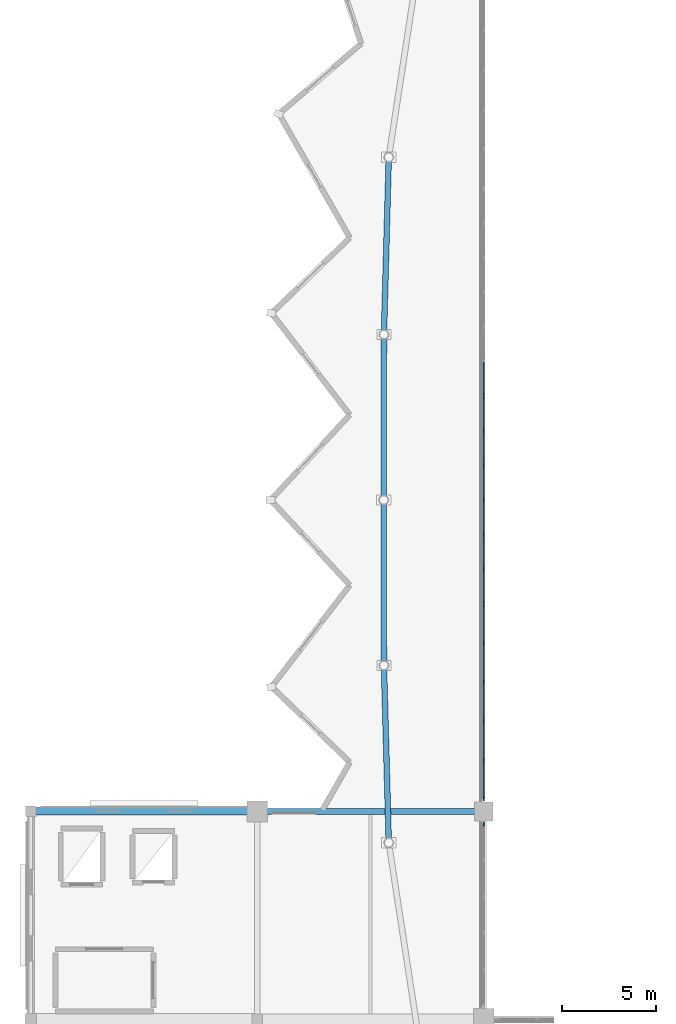
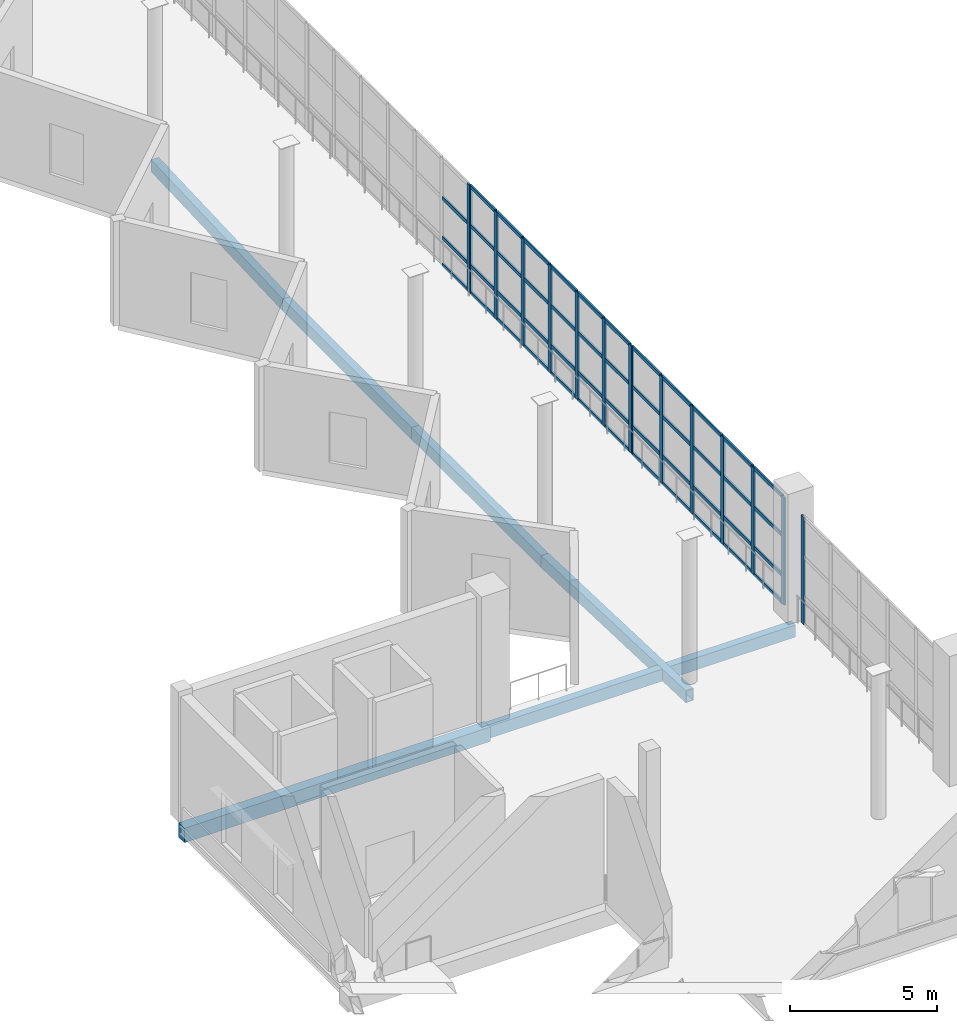
# One storey, part 14 of 49: 62 members, 6 beams, 4 elements without a shape of their own.
"""IFC4 building model written with IfcOpenShell, lengths in metres."""

from ifc_helpers import new_model, si_unit, direction, frame, origin, origin_2d, place, context, subcontext, project, spatial, rectangle, hollow_rectangle, extrude, material, material_profile, profile_set, type_object, element, aggregate, save


model = new_model("IFC4")

# Units and contexts
model_context = context("Model", 3, precision=1e-05, world=origin(), true_north=direction((0.0, 1.0)))
body_context = subcontext(model_context, "Body", "Model", "MODEL_VIEW")
ifc_project = project(units=[si_unit("LENGTHUNIT", "METRE"), si_unit("AREAUNIT", "SQUARE_METRE"), si_unit("VOLUMEUNIT", "CUBIC_METRE"), si_unit("PLANEANGLEUNIT", "RADIAN"), si_unit("MASSUNIT", "GRAM", prefix="KILO")], contexts=[model_context])

# Site, building, storey
site_placement = place(None, origin())
site = spatial("IfcSite", under=ifc_project, at=site_placement, CompositionType="ELEMENT")
building_placement = place(site_placement, origin())
building = spatial("IfcBuilding", under=site, at=building_placement, Name="Luwafu Chhajja Arena", CompositionType="ELEMENT")
storey_placement = place(building_placement, frame((0.0, 0.0, 24.300048828125)))
storey = spatial("IfcBuildingStorey", under=building, at=storey_placement, Name="L05", CompositionType="ELEMENT", Elevation=24.300048828125)

# Curtain wall, member
ifc_material_1 = material(Name="Anodised bronze aluminium", Category="aluminium")
curtain_wall_type = type_object("IfcCurtainWallType", Name="VIP Club Terrace Curtain Wall", PredefinedType="USERDEFINED", material=ifc_material_1)
curtain_wall_1_placement = place(storey_placement, origin())
curtain_wall_1 = element("IfcCurtainWall", 1, at=curtain_wall_1_placement, inside=storey, type_object=curtain_wall_type, Name="L05 Bowl Viewing Curtain Wall CWR-L05-15", ObjectType="CURTAIN WALL", PredefinedType="USERDEFINED")
ifc_material_profile_1 = material_profile(ifc_material_1, rectangle(XDim=0.06494140625, YDim=0.199951171875, at=origin_2d()), Name="CWM 65x200")
ifc_profile_set_1 = profile_set([ifc_material_profile_1], Name="Anodised bronze aluminium")
member_type_1 = type_object("IfcMemberType", Name="Bronze Curtain Wall Mullion 65x200", PredefinedType="MULLION", material=ifc_profile_set_1)
member_1_placement = place(storey_placement, frame((58.0, 32.327392578125, 0.0), z_axis=(0.0, 0.0, 1.0), x_axis=(-1.0, 0.0, 0.0)))
member_1 = element("IfcMember", 2, at=member_1_placement, type_object=member_type_1, Name="CW-10 mullion 6", PredefinedType="MULLION", context=body_context, shape_type="SweptSolid", body=[
    extrude(rectangle(XDim=0.06494140625, YDim=0.199951171875, at=origin_2d()), origin(), (0.0, 0.0, 1.0), 4.449951171875),
])
aggregate(curtain_wall_1, [member_1])

# Curtain wall, members
curtain_wall_2_placement = place(storey_placement, origin())
curtain_wall_2 = element("IfcCurtainWall", 3, at=curtain_wall_2_placement, inside=storey, type_object=curtain_wall_type, Name="L05 Bowl Viewing Curtain Wall CWR-L05-16", ObjectType="CURTAIN WALL", PredefinedType="USERDEFINED")
member_2_placement = place(storey_placement, frame((58.0, 33.672607421875, 0.0), z_axis=(0.0, 0.0, 1.0), x_axis=(-1.0, 0.0, 0.0)))
member_2 = element("IfcMember", 4, at=member_2_placement, type_object=member_type_1, Name="CW-10 mullion 1", PredefinedType="MULLION", context=body_context, shape_type="SweptSolid", body=[
    extrude(rectangle(XDim=0.06494140625, YDim=0.199951171875, at=origin_2d()), origin(), (0.0, 0.0, 1.0), 4.449951171875),
])
member_3_placement = place(storey_placement, frame((58.0, 35.7119140625, 0.0), z_axis=(0.0, 0.0, 1.0), x_axis=(-1.0, 0.0, 0.0)))
member_3 = element("IfcMember", 5, at=member_3_placement, type_object=member_type_1, Name="CW-10 mullion 2", PredefinedType="MULLION", context=body_context, shape_type="SweptSolid", body=[
    extrude(rectangle(XDim=0.06494140625, YDim=0.199951171875, at=origin_2d()), origin(), (0.0, 0.0, 1.0), 4.449951171875),
])
member_4_placement = place(storey_placement, frame((58.0, 37.783935546875, 0.0), z_axis=(0.0, 0.0, 1.0), x_axis=(-1.0, 0.0, 0.0)))
member_4 = element("IfcMember", 6, at=member_4_placement, type_object=member_type_1, Name="CW-10 mullion 3", PredefinedType="MULLION", context=body_context, shape_type="SweptSolid", body=[
    extrude(rectangle(XDim=0.06494140625, YDim=0.199951171875, at=origin_2d()), origin(), (0.0, 0.0, 1.0), 4.449951171875),
])
member_5_placement = place(storey_placement, frame((58.0, 39.85595703125, 0.0), z_axis=(0.0, 0.0, 1.0), x_axis=(-1.0, 0.0, 0.0)))
member_5 = element("IfcMember", 7, at=member_5_placement, type_object=member_type_1, Name="CW-10 mullion 4", PredefinedType="MULLION", context=body_context, shape_type="SweptSolid", body=[
    extrude(rectangle(XDim=0.06494140625, YDim=0.199951171875, at=origin_2d()), origin(), (0.0, 0.0, 1.0), 4.449951171875),
])
member_6_placement = place(storey_placement, frame((58.0, 41.927978515625, 0.0), z_axis=(0.0, 0.0, 1.0), x_axis=(-1.0, 0.0, 0.0)))
member_6 = element("IfcMember", 8, at=member_6_placement, type_object=member_type_1, Name="CW-10 mullion 5", PredefinedType="MULLION", context=body_context, shape_type="SweptSolid", body=[
    extrude(rectangle(XDim=0.06494140625, YDim=0.199951171875, at=origin_2d()), origin(), (0.0, 0.0, 1.0), 4.449951171875),
])
member_7_placement = place(storey_placement, frame((58.0, 43.967529296875, 0.0), z_axis=(0.0, 0.0, 1.0), x_axis=(-1.0, 0.0, 0.0)))
member_7 = element("IfcMember", 9, at=member_7_placement, type_object=member_type_1, Name="CW-10 mullion 6", PredefinedType="MULLION", context=body_context, shape_type="SweptSolid", body=[
    extrude(rectangle(XDim=0.06494140625, YDim=0.199951171875, at=origin_2d()), origin(), (0.0, 0.0, 1.0), 4.449951171875),
])

curtain_wall_3_placement = place(storey_placement, origin())
curtain_wall_3 = element("IfcCurtainWall", 10, at=curtain_wall_3_placement, inside=storey, type_object=curtain_wall_type, Name="L05 Bowl Viewing Curtain Wall CWR-L05-17", ObjectType="CURTAIN WALL", PredefinedType="USERDEFINED")
member_8_placement = place(storey_placement, frame((58.0, 44.032470703125, 0.0), z_axis=(0.0, 0.0, 1.0), x_axis=(-1.0, 0.0, 0.0)))
member_8 = element("IfcMember", 11, at=member_8_placement, type_object=member_type_1, Name="CW-10 mullion 1", PredefinedType="MULLION", context=body_context, shape_type="SweptSolid", body=[
    extrude(rectangle(XDim=0.06494140625, YDim=0.199951171875, at=origin_2d()), origin(), (0.0, 0.0, 1.0), 4.449951171875),
])
member_9_placement = place(storey_placement, frame((58.0, 45.833251953125, 0.0), z_axis=(0.0, 0.0, 1.0), x_axis=(-1.0, 0.0, 0.0)))
member_9 = element("IfcMember", 12, at=member_9_placement, type_object=member_type_1, Name="CW-10 mullion 2", PredefinedType="MULLION", context=body_context, shape_type="SweptSolid", body=[
    extrude(rectangle(XDim=0.06494140625, YDim=0.199951171875, at=origin_2d()), origin(), (0.0, 0.0, 1.0), 4.449951171875),
])
member_10_placement = place(storey_placement, frame((58.0, 47.666748046875, 0.0), z_axis=(0.0, 0.0, 1.0), x_axis=(-1.0, 0.0, 0.0)))
member_10 = element("IfcMember", 13, at=member_10_placement, type_object=member_type_1, Name="CW-10 mullion 3", PredefinedType="MULLION", context=body_context, shape_type="SweptSolid", body=[
    extrude(rectangle(XDim=0.06494140625, YDim=0.199951171875, at=origin_2d()), origin(), (0.0, 0.0, 1.0), 4.449951171875),
])
member_11_placement = place(storey_placement, frame((58.0, 49.5, 0.0), z_axis=(0.0, 0.0, 1.0), x_axis=(-1.0, 0.0, 0.0)))
member_11 = element("IfcMember", 14, at=member_11_placement, type_object=member_type_1, Name="CW-10 mullion 4", PredefinedType="MULLION", context=body_context, shape_type="SweptSolid", body=[
    extrude(rectangle(XDim=0.06494140625, YDim=0.199951171875, at=origin_2d()), origin(), (0.0, 0.0, 1.0), 4.449951171875),
])
member_12_placement = place(storey_placement, frame((58.0, 51.333251953125, 0.0), z_axis=(0.0, 0.0, 1.0), x_axis=(-1.0, 0.0, 0.0)))
member_12 = element("IfcMember", 15, at=member_12_placement, type_object=member_type_1, Name="CW-10 mullion 5", PredefinedType="MULLION", context=body_context, shape_type="SweptSolid", body=[
    extrude(rectangle(XDim=0.06494140625, YDim=0.199951171875, at=origin_2d()), origin(), (0.0, 0.0, 1.0), 4.449951171875),
])
member_13_placement = place(storey_placement, frame((58.0, 53.166748046875, 0.0), z_axis=(0.0, 0.0, 1.0), x_axis=(-1.0, 0.0, 0.0)))
member_13 = element("IfcMember", 16, at=member_13_placement, type_object=member_type_1, Name="CW-10 mullion 6", PredefinedType="MULLION", context=body_context, shape_type="SweptSolid", body=[
    extrude(rectangle(XDim=0.06494140625, YDim=0.199951171875, at=origin_2d()), origin(), (0.0, 0.0, 1.0), 4.449951171875),
])
member_14_placement = place(storey_placement, frame((58.0, 54.967529296875, 0.0), z_axis=(0.0, 0.0, 1.0), x_axis=(-1.0, 0.0, 0.0)))
member_14 = element("IfcMember", 17, at=member_14_placement, type_object=member_type_1, Name="CW-10 mullion 7", PredefinedType="MULLION", context=body_context, shape_type="SweptSolid", body=[
    extrude(rectangle(XDim=0.06494140625, YDim=0.199951171875, at=origin_2d()), origin(), (0.0, 0.0, 1.0), 4.449951171875),
])

# Curtain wall, member
curtain_wall_4_placement = place(storey_placement, origin())
curtain_wall_4 = element("IfcCurtainWall", 18, at=curtain_wall_4_placement, inside=storey, type_object=curtain_wall_type, Name="L05 Bowl Viewing Curtain Wall CWR-L05-18", ObjectType="CURTAIN WALL", PredefinedType="USERDEFINED")
member_15_placement = place(storey_placement, frame((58.0, 55.032470703125, 0.0), z_axis=(0.0, 0.0, 1.0), x_axis=(-1.0, 0.0, 0.0)))
member_15 = element("IfcMember", 19, at=member_15_placement, type_object=member_type_1, Name="CW-10 mullion 1", PredefinedType="MULLION", context=body_context, shape_type="SweptSolid", body=[
    extrude(rectangle(XDim=0.06494140625, YDim=0.199951171875, at=origin_2d()), origin(), (0.0, 0.0, 1.0), 4.449951171875),
])

# Member
ifc_material_profile_2 = material_profile(ifc_material_1, rectangle(XDim=0.06494140625, YDim=0.14990234375, at=origin_2d()), Name="CWT 65x150")
ifc_profile_set_2 = profile_set([ifc_material_profile_2], Name="Anodised bronze aluminium")
member_type_2 = type_object("IfcMemberType", Name="Bronze Curtain Wall Transom 65x150", PredefinedType="USERDEFINED", material=ifc_profile_set_2)
member_16_placement = place(storey_placement, frame((58.0, 33.705078125, 0.032470703125), z_axis=(0.0, 1.0, 0.0), x_axis=(-1.0, 0.0, 0.0)))
member_16 = element("IfcMember", 20, at=member_16_placement, type_object=member_type_2, Name="CW-10 transom 1.1", ObjectType="TRANSOM", PredefinedType="USERDEFINED", context=body_context, shape_type="SweptSolid", body=[
    extrude(rectangle(XDim=0.06494140625, YDim=0.14990234375, at=origin_2d()), origin(), (0.0, 0.0, 1.0), 1.974365234375),
])

member_17_placement = place(storey_placement, frame((58.0, 33.705078125, 1.14990234375), z_axis=(0.0, 1.0, 0.0), x_axis=(-1.0, 0.0, 0.0)))
member_17 = element("IfcMember", 21, at=member_17_placement, type_object=member_type_2, Name="CW-10 transom 1.2", ObjectType="TRANSOM", PredefinedType="USERDEFINED", context=body_context, shape_type="SweptSolid", body=[
    extrude(rectangle(XDim=0.06494140625, YDim=0.14990234375, at=origin_2d()), origin(), (0.0, 0.0, 1.0), 1.974365234375),
])

member_18_placement = place(storey_placement, frame((58.0, 33.705078125, 2.800048828125), z_axis=(0.0, 1.0, 0.0), x_axis=(-1.0, 0.0, 0.0)))
member_18 = element("IfcMember", 22, at=member_18_placement, type_object=member_type_2, Name="CW-10 transom 1.3", ObjectType="TRANSOM", PredefinedType="USERDEFINED", context=body_context, shape_type="SweptSolid", body=[
    extrude(rectangle(XDim=0.06494140625, YDim=0.14990234375, at=origin_2d()), origin(), (0.0, 0.0, 1.0), 1.974365234375),
])

member_19_placement = place(storey_placement, frame((58.0, 33.705078125, 4.41748046875), z_axis=(0.0, 1.0, 0.0), x_axis=(-1.0, 0.0, 0.0)))
member_19 = element("IfcMember", 23, at=member_19_placement, type_object=member_type_2, Name="CW-10 transom 1.4", ObjectType="TRANSOM", PredefinedType="USERDEFINED", context=body_context, shape_type="SweptSolid", body=[
    extrude(rectangle(XDim=0.06494140625, YDim=0.14990234375, at=origin_2d()), origin(), (0.0, 0.0, 1.0), 1.974365234375),
])

member_20_placement = place(storey_placement, frame((58.0, 35.744384765625, 0.032470703125), z_axis=(0.0, 1.0, 0.0), x_axis=(-1.0, 0.0, 0.0)))
member_20 = element("IfcMember", 24, at=member_20_placement, type_object=member_type_2, Name="CW-10 transom 2.1", ObjectType="TRANSOM", PredefinedType="USERDEFINED", context=body_context, shape_type="SweptSolid", body=[
    extrude(rectangle(XDim=0.06494140625, YDim=0.14990234375, at=origin_2d()), origin(), (0.0, 0.0, 1.0), 2.007080078125),
])

member_21_placement = place(storey_placement, frame((58.0, 35.744384765625, 1.14990234375), z_axis=(0.0, 1.0, 0.0), x_axis=(-1.0, 0.0, 0.0)))
member_21 = element("IfcMember", 25, at=member_21_placement, type_object=member_type_2, Name="CW-10 transom 2.2", ObjectType="TRANSOM", PredefinedType="USERDEFINED", context=body_context, shape_type="SweptSolid", body=[
    extrude(rectangle(XDim=0.06494140625, YDim=0.14990234375, at=origin_2d()), origin(), (0.0, 0.0, 1.0), 2.007080078125),
])

member_22_placement = place(storey_placement, frame((58.0, 35.744384765625, 2.800048828125), z_axis=(0.0, 1.0, 0.0), x_axis=(-1.0, 0.0, 0.0)))
member_22 = element("IfcMember", 26, at=member_22_placement, type_object=member_type_2, Name="CW-10 transom 2.3", ObjectType="TRANSOM", PredefinedType="USERDEFINED", context=body_context, shape_type="SweptSolid", body=[
    extrude(rectangle(XDim=0.06494140625, YDim=0.14990234375, at=origin_2d()), origin(), (0.0, 0.0, 1.0), 2.007080078125),
])

member_23_placement = place(storey_placement, frame((58.0, 35.744384765625, 4.41748046875), z_axis=(0.0, 1.0, 0.0), x_axis=(-1.0, 0.0, 0.0)))
member_23 = element("IfcMember", 27, at=member_23_placement, type_object=member_type_2, Name="CW-10 transom 2.4", ObjectType="TRANSOM", PredefinedType="USERDEFINED", context=body_context, shape_type="SweptSolid", body=[
    extrude(rectangle(XDim=0.06494140625, YDim=0.14990234375, at=origin_2d()), origin(), (0.0, 0.0, 1.0), 2.007080078125),
])

member_24_placement = place(storey_placement, frame((58.0, 37.81640625, 0.032470703125), z_axis=(0.0, 1.0, 0.0), x_axis=(-1.0, 0.0, 0.0)))
member_24 = element("IfcMember", 28, at=member_24_placement, type_object=member_type_2, Name="CW-10 transom 3.1", ObjectType="TRANSOM", PredefinedType="USERDEFINED", context=body_context, shape_type="SweptSolid", body=[
    extrude(rectangle(XDim=0.06494140625, YDim=0.14990234375, at=origin_2d()), origin(), (0.0, 0.0, 1.0), 2.007080078125),
])

member_25_placement = place(storey_placement, frame((58.0, 37.81640625, 1.14990234375), z_axis=(0.0, 1.0, 0.0), x_axis=(-1.0, 0.0, 0.0)))
member_25 = element("IfcMember", 29, at=member_25_placement, type_object=member_type_2, Name="CW-10 transom 3.2", ObjectType="TRANSOM", PredefinedType="USERDEFINED", context=body_context, shape_type="SweptSolid", body=[
    extrude(rectangle(XDim=0.06494140625, YDim=0.14990234375, at=origin_2d()), origin(), (0.0, 0.0, 1.0), 2.007080078125),
])

member_26_placement = place(storey_placement, frame((58.0, 37.81640625, 2.800048828125), z_axis=(0.0, 1.0, 0.0), x_axis=(-1.0, 0.0, 0.0)))
member_26 = element("IfcMember", 30, at=member_26_placement, type_object=member_type_2, Name="CW-10 transom 3.3", ObjectType="TRANSOM", PredefinedType="USERDEFINED", context=body_context, shape_type="SweptSolid", body=[
    extrude(rectangle(XDim=0.06494140625, YDim=0.14990234375, at=origin_2d()), origin(), (0.0, 0.0, 1.0), 2.007080078125),
])

member_27_placement = place(storey_placement, frame((58.0, 37.81640625, 4.41748046875), z_axis=(0.0, 1.0, 0.0), x_axis=(-1.0, 0.0, 0.0)))
member_27 = element("IfcMember", 31, at=member_27_placement, type_object=member_type_2, Name="CW-10 transom 3.4", ObjectType="TRANSOM", PredefinedType="USERDEFINED", context=body_context, shape_type="SweptSolid", body=[
    extrude(rectangle(XDim=0.06494140625, YDim=0.14990234375, at=origin_2d()), origin(), (0.0, 0.0, 1.0), 2.007080078125),
])

member_28_placement = place(storey_placement, frame((58.0, 39.888427734375, 0.032470703125), z_axis=(0.0, 1.0, 0.0), x_axis=(-1.0, 0.0, 0.0)))
member_28 = element("IfcMember", 32, at=member_28_placement, type_object=member_type_2, Name="CW-10 transom 4.1", ObjectType="TRANSOM", PredefinedType="USERDEFINED", context=body_context, shape_type="SweptSolid", body=[
    extrude(rectangle(XDim=0.06494140625, YDim=0.14990234375, at=origin_2d()), origin(), (0.0, 0.0, 1.0), 2.007080078125),
])

member_29_placement = place(storey_placement, frame((58.0, 39.888427734375, 1.14990234375), z_axis=(0.0, 1.0, 0.0), x_axis=(-1.0, 0.0, 0.0)))
member_29 = element("IfcMember", 33, at=member_29_placement, type_object=member_type_2, Name="CW-10 transom 4.2", ObjectType="TRANSOM", PredefinedType="USERDEFINED", context=body_context, shape_type="SweptSolid", body=[
    extrude(rectangle(XDim=0.06494140625, YDim=0.14990234375, at=origin_2d()), origin(), (0.0, 0.0, 1.0), 2.007080078125),
])

member_30_placement = place(storey_placement, frame((58.0, 39.888427734375, 2.800048828125), z_axis=(0.0, 1.0, 0.0), x_axis=(-1.0, 0.0, 0.0)))
member_30 = element("IfcMember", 34, at=member_30_placement, type_object=member_type_2, Name="CW-10 transom 4.3", ObjectType="TRANSOM", PredefinedType="USERDEFINED", context=body_context, shape_type="SweptSolid", body=[
    extrude(rectangle(XDim=0.06494140625, YDim=0.14990234375, at=origin_2d()), origin(), (0.0, 0.0, 1.0), 2.007080078125),
])

member_31_placement = place(storey_placement, frame((58.0, 39.888427734375, 4.41748046875), z_axis=(0.0, 1.0, 0.0), x_axis=(-1.0, 0.0, 0.0)))
member_31 = element("IfcMember", 35, at=member_31_placement, type_object=member_type_2, Name="CW-10 transom 4.4", ObjectType="TRANSOM", PredefinedType="USERDEFINED", context=body_context, shape_type="SweptSolid", body=[
    extrude(rectangle(XDim=0.06494140625, YDim=0.14990234375, at=origin_2d()), origin(), (0.0, 0.0, 1.0), 2.007080078125),
])

member_32_placement = place(storey_placement, frame((58.0, 41.96044921875, 0.032470703125), z_axis=(0.0, 1.0, 0.0), x_axis=(-1.0, 0.0, 0.0)))
member_32 = element("IfcMember", 36, at=member_32_placement, type_object=member_type_2, Name="CW-10 transom 5.1", ObjectType="TRANSOM", PredefinedType="USERDEFINED", context=body_context, shape_type="SweptSolid", body=[
    extrude(rectangle(XDim=0.06494140625, YDim=0.14990234375, at=origin_2d()), origin(), (0.0, 0.0, 1.0), 1.974609375),
])

member_33_placement = place(storey_placement, frame((58.0, 41.96044921875, 1.14990234375), z_axis=(0.0, 1.0, 0.0), x_axis=(-1.0, 0.0, 0.0)))
member_33 = element("IfcMember", 37, at=member_33_placement, type_object=member_type_2, Name="CW-10 transom 5.2", ObjectType="TRANSOM", PredefinedType="USERDEFINED", context=body_context, shape_type="SweptSolid", body=[
    extrude(rectangle(XDim=0.06494140625, YDim=0.14990234375, at=origin_2d()), origin(), (0.0, 0.0, 1.0), 1.974609375),
])

member_34_placement = place(storey_placement, frame((58.0, 41.96044921875, 2.800048828125), z_axis=(0.0, 1.0, 0.0), x_axis=(-1.0, 0.0, 0.0)))
member_34 = element("IfcMember", 38, at=member_34_placement, type_object=member_type_2, Name="CW-10 transom 5.3", ObjectType="TRANSOM", PredefinedType="USERDEFINED", context=body_context, shape_type="SweptSolid", body=[
    extrude(rectangle(XDim=0.06494140625, YDim=0.14990234375, at=origin_2d()), origin(), (0.0, 0.0, 1.0), 1.974609375),
])

member_35_placement = place(storey_placement, frame((58.0, 41.96044921875, 4.41748046875), z_axis=(0.0, 1.0, 0.0), x_axis=(-1.0, 0.0, 0.0)))
member_35 = element("IfcMember", 39, at=member_35_placement, type_object=member_type_2, Name="CW-10 transom 5.4", ObjectType="TRANSOM", PredefinedType="USERDEFINED", context=body_context, shape_type="SweptSolid", body=[
    extrude(rectangle(XDim=0.06494140625, YDim=0.14990234375, at=origin_2d()), origin(), (0.0, 0.0, 1.0), 1.974609375),
])

aggregate(curtain_wall_2, [member_2, member_3, member_4, member_5, member_6, member_7, member_16, member_17, member_18, member_19, member_20, member_21, member_22, member_23, member_24, member_25, member_26, member_27, member_28, member_29, member_30, member_31, member_32, member_33, member_34, member_35])

member_36_placement = place(storey_placement, frame((58.0, 44.06494140625, 0.032470703125), z_axis=(0.0, 1.0, 0.0), x_axis=(-1.0, 0.0, 0.0)))
member_36 = element("IfcMember", 40, at=member_36_placement, type_object=member_type_2, Name="CW-10 transom 1.1", ObjectType="TRANSOM", PredefinedType="USERDEFINED", context=body_context, shape_type="SweptSolid", body=[
    extrude(rectangle(XDim=0.06494140625, YDim=0.14990234375, at=origin_2d()), origin(), (0.0, 0.0, 1.0), 1.73583984375),
])

member_37_placement = place(storey_placement, frame((58.0, 44.06494140625, 1.14990234375), z_axis=(0.0, 1.0, 0.0), x_axis=(-1.0, 0.0, 0.0)))
member_37 = element("IfcMember", 41, at=member_37_placement, type_object=member_type_2, Name="CW-10 transom 1.2", ObjectType="TRANSOM", PredefinedType="USERDEFINED", context=body_context, shape_type="SweptSolid", body=[
    extrude(rectangle(XDim=0.06494140625, YDim=0.14990234375, at=origin_2d()), origin(), (0.0, 0.0, 1.0), 1.73583984375),
])

member_38_placement = place(storey_placement, frame((58.0, 44.06494140625, 2.800048828125), z_axis=(0.0, 1.0, 0.0), x_axis=(-1.0, 0.0, 0.0)))
member_38 = element("IfcMember", 42, at=member_38_placement, type_object=member_type_2, Name="CW-10 transom 1.3", ObjectType="TRANSOM", PredefinedType="USERDEFINED", context=body_context, shape_type="SweptSolid", body=[
    extrude(rectangle(XDim=0.06494140625, YDim=0.14990234375, at=origin_2d()), origin(), (0.0, 0.0, 1.0), 1.73583984375),
])

member_39_placement = place(storey_placement, frame((58.0, 44.06494140625, 4.41748046875), z_axis=(0.0, 1.0, 0.0), x_axis=(-1.0, 0.0, 0.0)))
member_39 = element("IfcMember", 43, at=member_39_placement, type_object=member_type_2, Name="CW-10 transom 1.4", ObjectType="TRANSOM", PredefinedType="USERDEFINED", context=body_context, shape_type="SweptSolid", body=[
    extrude(rectangle(XDim=0.06494140625, YDim=0.14990234375, at=origin_2d()), origin(), (0.0, 0.0, 1.0), 1.73583984375),
])

member_40_placement = place(storey_placement, frame((58.0, 45.86572265625, 0.032470703125), z_axis=(0.0, 1.0, 0.0), x_axis=(-1.0, 0.0, 0.0)))
member_40 = element("IfcMember", 44, at=member_40_placement, type_object=member_type_2, Name="CW-10 transom 2.1", ObjectType="TRANSOM", PredefinedType="USERDEFINED", context=body_context, shape_type="SweptSolid", body=[
    extrude(rectangle(XDim=0.06494140625, YDim=0.14990234375, at=origin_2d()), origin(), (0.0, 0.0, 1.0), 1.7685546875),
])

member_41_placement = place(storey_placement, frame((58.0, 45.86572265625, 1.14990234375), z_axis=(0.0, 1.0, 0.0), x_axis=(-1.0, 0.0, 0.0)))
member_41 = element("IfcMember", 45, at=member_41_placement, type_object=member_type_2, Name="CW-10 transom 2.2", ObjectType="TRANSOM", PredefinedType="USERDEFINED", context=body_context, shape_type="SweptSolid", body=[
    extrude(rectangle(XDim=0.06494140625, YDim=0.14990234375, at=origin_2d()), origin(), (0.0, 0.0, 1.0), 1.7685546875),
])

member_42_placement = place(storey_placement, frame((58.0, 45.86572265625, 2.800048828125), z_axis=(0.0, 1.0, 0.0), x_axis=(-1.0, 0.0, 0.0)))
member_42 = element("IfcMember", 46, at=member_42_placement, type_object=member_type_2, Name="CW-10 transom 2.3", ObjectType="TRANSOM", PredefinedType="USERDEFINED", context=body_context, shape_type="SweptSolid", body=[
    extrude(rectangle(XDim=0.06494140625, YDim=0.14990234375, at=origin_2d()), origin(), (0.0, 0.0, 1.0), 1.7685546875),
])

member_43_placement = place(storey_placement, frame((58.0, 45.86572265625, 4.41748046875), z_axis=(0.0, 1.0, 0.0), x_axis=(-1.0, 0.0, 0.0)))
member_43 = element("IfcMember", 47, at=member_43_placement, type_object=member_type_2, Name="CW-10 transom 2.4", ObjectType="TRANSOM", PredefinedType="USERDEFINED", context=body_context, shape_type="SweptSolid", body=[
    extrude(rectangle(XDim=0.06494140625, YDim=0.14990234375, at=origin_2d()), origin(), (0.0, 0.0, 1.0), 1.7685546875),
])

member_44_placement = place(storey_placement, frame((58.0, 47.69921875, 0.032470703125), z_axis=(0.0, 1.0, 0.0), x_axis=(-1.0, 0.0, 0.0)))
member_44 = element("IfcMember", 48, at=member_44_placement, type_object=member_type_2, Name="CW-10 transom 3.1", ObjectType="TRANSOM", PredefinedType="USERDEFINED", context=body_context, shape_type="SweptSolid", body=[
    extrude(rectangle(XDim=0.06494140625, YDim=0.14990234375, at=origin_2d()), origin(), (0.0, 0.0, 1.0), 1.768310546875),
])

member_45_placement = place(storey_placement, frame((58.0, 47.69921875, 1.14990234375), z_axis=(0.0, 1.0, 0.0), x_axis=(-1.0, 0.0, 0.0)))
member_45 = element("IfcMember", 49, at=member_45_placement, type_object=member_type_2, Name="CW-10 transom 3.2", ObjectType="TRANSOM", PredefinedType="USERDEFINED", context=body_context, shape_type="SweptSolid", body=[
    extrude(rectangle(XDim=0.06494140625, YDim=0.14990234375, at=origin_2d()), origin(), (0.0, 0.0, 1.0), 1.768310546875),
])

member_46_placement = place(storey_placement, frame((58.0, 47.69921875, 2.800048828125), z_axis=(0.0, 1.0, 0.0), x_axis=(-1.0, 0.0, 0.0)))
member_46 = element("IfcMember", 50, at=member_46_placement, type_object=member_type_2, Name="CW-10 transom 3.3", ObjectType="TRANSOM", PredefinedType="USERDEFINED", context=body_context, shape_type="SweptSolid", body=[
    extrude(rectangle(XDim=0.06494140625, YDim=0.14990234375, at=origin_2d()), origin(), (0.0, 0.0, 1.0), 1.768310546875),
])

member_47_placement = place(storey_placement, frame((58.0, 47.69921875, 4.41748046875), z_axis=(0.0, 1.0, 0.0), x_axis=(-1.0, 0.0, 0.0)))
member_47 = element("IfcMember", 51, at=member_47_placement, type_object=member_type_2, Name="CW-10 transom 3.4", ObjectType="TRANSOM", PredefinedType="USERDEFINED", context=body_context, shape_type="SweptSolid", body=[
    extrude(rectangle(XDim=0.06494140625, YDim=0.14990234375, at=origin_2d()), origin(), (0.0, 0.0, 1.0), 1.768310546875),
])

member_48_placement = place(storey_placement, frame((58.0, 49.532470703125, 0.032470703125), z_axis=(0.0, 1.0, 0.0), x_axis=(-1.0, 0.0, 0.0)))
member_48 = element("IfcMember", 52, at=member_48_placement, type_object=member_type_2, Name="CW-10 transom 4.1", ObjectType="TRANSOM", PredefinedType="USERDEFINED", context=body_context, shape_type="SweptSolid", body=[
    extrude(rectangle(XDim=0.06494140625, YDim=0.14990234375, at=origin_2d()), origin(), (0.0, 0.0, 1.0), 1.768310546875),
])

member_49_placement = place(storey_placement, frame((58.0, 49.532470703125, 1.14990234375), z_axis=(0.0, 1.0, 0.0), x_axis=(-1.0, 0.0, 0.0)))
member_49 = element("IfcMember", 53, at=member_49_placement, type_object=member_type_2, Name="CW-10 transom 4.2", ObjectType="TRANSOM", PredefinedType="USERDEFINED", context=body_context, shape_type="SweptSolid", body=[
    extrude(rectangle(XDim=0.06494140625, YDim=0.14990234375, at=origin_2d()), origin(), (0.0, 0.0, 1.0), 1.768310546875),
])

member_50_placement = place(storey_placement, frame((58.0, 49.532470703125, 2.800048828125), z_axis=(0.0, 1.0, 0.0), x_axis=(-1.0, 0.0, 0.0)))
member_50 = element("IfcMember", 54, at=member_50_placement, type_object=member_type_2, Name="CW-10 transom 4.3", ObjectType="TRANSOM", PredefinedType="USERDEFINED", context=body_context, shape_type="SweptSolid", body=[
    extrude(rectangle(XDim=0.06494140625, YDim=0.14990234375, at=origin_2d()), origin(), (0.0, 0.0, 1.0), 1.768310546875),
])

member_51_placement = place(storey_placement, frame((58.0, 49.532470703125, 4.41748046875), z_axis=(0.0, 1.0, 0.0), x_axis=(-1.0, 0.0, 0.0)))
member_51 = element("IfcMember", 55, at=member_51_placement, type_object=member_type_2, Name="CW-10 transom 4.4", ObjectType="TRANSOM", PredefinedType="USERDEFINED", context=body_context, shape_type="SweptSolid", body=[
    extrude(rectangle(XDim=0.06494140625, YDim=0.14990234375, at=origin_2d()), origin(), (0.0, 0.0, 1.0), 1.768310546875),
])

member_52_placement = place(storey_placement, frame((58.0, 51.36572265625, 0.032470703125), z_axis=(0.0, 1.0, 0.0), x_axis=(-1.0, 0.0, 0.0)))
member_52 = element("IfcMember", 56, at=member_52_placement, type_object=member_type_2, Name="CW-10 transom 5.1", ObjectType="TRANSOM", PredefinedType="USERDEFINED", context=body_context, shape_type="SweptSolid", body=[
    extrude(rectangle(XDim=0.06494140625, YDim=0.14990234375, at=origin_2d()), origin(), (0.0, 0.0, 1.0), 1.7685546875),
])

member_53_placement = place(storey_placement, frame((58.0, 51.36572265625, 1.14990234375), z_axis=(0.0, 1.0, 0.0), x_axis=(-1.0, 0.0, 0.0)))
member_53 = element("IfcMember", 57, at=member_53_placement, type_object=member_type_2, Name="CW-10 transom 5.2", ObjectType="TRANSOM", PredefinedType="USERDEFINED", context=body_context, shape_type="SweptSolid", body=[
    extrude(rectangle(XDim=0.06494140625, YDim=0.14990234375, at=origin_2d()), origin(), (0.0, 0.0, 1.0), 1.7685546875),
])

member_54_placement = place(storey_placement, frame((58.0, 51.36572265625, 2.800048828125), z_axis=(0.0, 1.0, 0.0), x_axis=(-1.0, 0.0, 0.0)))
member_54 = element("IfcMember", 58, at=member_54_placement, type_object=member_type_2, Name="CW-10 transom 5.3", ObjectType="TRANSOM", PredefinedType="USERDEFINED", context=body_context, shape_type="SweptSolid", body=[
    extrude(rectangle(XDim=0.06494140625, YDim=0.14990234375, at=origin_2d()), origin(), (0.0, 0.0, 1.0), 1.7685546875),
])

member_55_placement = place(storey_placement, frame((58.0, 51.36572265625, 4.41748046875), z_axis=(0.0, 1.0, 0.0), x_axis=(-1.0, 0.0, 0.0)))
member_55 = element("IfcMember", 59, at=member_55_placement, type_object=member_type_2, Name="CW-10 transom 5.4", ObjectType="TRANSOM", PredefinedType="USERDEFINED", context=body_context, shape_type="SweptSolid", body=[
    extrude(rectangle(XDim=0.06494140625, YDim=0.14990234375, at=origin_2d()), origin(), (0.0, 0.0, 1.0), 1.7685546875),
])

member_56_placement = place(storey_placement, frame((58.0, 53.19921875, 0.032470703125), z_axis=(0.0, 1.0, 0.0), x_axis=(-1.0, 0.0, 0.0)))
member_56 = element("IfcMember", 60, at=member_56_placement, type_object=member_type_2, Name="CW-10 transom 6.1", ObjectType="TRANSOM", PredefinedType="USERDEFINED", context=body_context, shape_type="SweptSolid", body=[
    extrude(rectangle(XDim=0.06494140625, YDim=0.14990234375, at=origin_2d()), origin(), (0.0, 0.0, 1.0), 1.73583984375),
])

member_57_placement = place(storey_placement, frame((58.0, 53.19921875, 1.14990234375), z_axis=(0.0, 1.0, 0.0), x_axis=(-1.0, 0.0, 0.0)))
member_57 = element("IfcMember", 61, at=member_57_placement, type_object=member_type_2, Name="CW-10 transom 6.2", ObjectType="TRANSOM", PredefinedType="USERDEFINED", context=body_context, shape_type="SweptSolid", body=[
    extrude(rectangle(XDim=0.06494140625, YDim=0.14990234375, at=origin_2d()), origin(), (0.0, 0.0, 1.0), 1.73583984375),
])

member_58_placement = place(storey_placement, frame((58.0, 53.19921875, 2.800048828125), z_axis=(0.0, 1.0, 0.0), x_axis=(-1.0, 0.0, 0.0)))
member_58 = element("IfcMember", 62, at=member_58_placement, type_object=member_type_2, Name="CW-10 transom 6.3", ObjectType="TRANSOM", PredefinedType="USERDEFINED", context=body_context, shape_type="SweptSolid", body=[
    extrude(rectangle(XDim=0.06494140625, YDim=0.14990234375, at=origin_2d()), origin(), (0.0, 0.0, 1.0), 1.73583984375),
])

member_59_placement = place(storey_placement, frame((58.0, 53.19921875, 4.41748046875), z_axis=(0.0, 1.0, 0.0), x_axis=(-1.0, 0.0, 0.0)))
member_59 = element("IfcMember", 63, at=member_59_placement, type_object=member_type_2, Name="CW-10 transom 6.4", ObjectType="TRANSOM", PredefinedType="USERDEFINED", context=body_context, shape_type="SweptSolid", body=[
    extrude(rectangle(XDim=0.06494140625, YDim=0.14990234375, at=origin_2d()), origin(), (0.0, 0.0, 1.0), 1.73583984375),
])

aggregate(curtain_wall_3, [member_8, member_9, member_10, member_11, member_12, member_13, member_14, member_36, member_37, member_38, member_39, member_40, member_41, member_42, member_43, member_44, member_45, member_46, member_47, member_48, member_49, member_50, member_51, member_52, member_53, member_54, member_55, member_56, member_57, member_58, member_59])

member_60_placement = place(storey_placement, frame((58.0, 55.06494140625, 0.032470703125), z_axis=(0.0, 1.0, 0.0), x_axis=(-1.0, 0.0, 0.0)))
member_60 = element("IfcMember", 64, at=member_60_placement, type_object=member_type_2, Name="CW-10 transom 1.1", ObjectType="TRANSOM", PredefinedType="USERDEFINED", context=body_context, shape_type="SweptSolid", body=[
    extrude(rectangle(XDim=0.06494140625, YDim=0.14990234375, at=origin_2d()), origin(), (0.0, 0.0, 1.0), 1.73583984375),
])

member_61_placement = place(storey_placement, frame((58.0, 55.06494140625, 1.14990234375), z_axis=(0.0, 1.0, 0.0), x_axis=(-1.0, 0.0, 0.0)))
member_61 = element("IfcMember", 65, at=member_61_placement, type_object=member_type_2, Name="CW-10 transom 1.2", ObjectType="TRANSOM", PredefinedType="USERDEFINED", context=body_context, shape_type="SweptSolid", body=[
    extrude(rectangle(XDim=0.06494140625, YDim=0.14990234375, at=origin_2d()), origin(), (0.0, 0.0, 1.0), 1.73583984375),
])

member_62_placement = place(storey_placement, frame((58.0, 55.06494140625, 2.800048828125), z_axis=(0.0, 1.0, 0.0), x_axis=(-1.0, 0.0, 0.0)))
member_62 = element("IfcMember", 66, at=member_62_placement, type_object=member_type_2, Name="CW-10 transom 1.3", ObjectType="TRANSOM", PredefinedType="USERDEFINED", context=body_context, shape_type="SweptSolid", body=[
    extrude(rectangle(XDim=0.06494140625, YDim=0.14990234375, at=origin_2d()), origin(), (0.0, 0.0, 1.0), 1.73583984375),
])

aggregate(curtain_wall_4, [member_15, member_60, member_61, member_62])

# Beams
ifc_material_2 = material(Name="Steel S355", Category="steel")
ifc_material_profile_3 = material_profile(ifc_material_2, hollow_rectangle(XDim=0.300048828125, YDim=0.5, WallThickness=0.02001953125, at=origin_2d()), Name="RHS 500x300x20")
ifc_profile_set_3 = profile_set([ifc_material_profile_3], Name="Steel S355")
beam_type_1 = type_object("IfcBeamType", Name="Pleated Drum Spandrel Beam RHS 500x300", PredefinedType="SPANDREL", material=ifc_profile_set_3)
beam_1_placement = place(storey_placement, frame((46.0, 33.0, -0.64013671875), z_axis=(1.0, 0.0, 0.0), x_axis=(0.0, 1.0, 0.0)))
element("IfcBeam", 67, at=beam_1_placement, inside=storey, type_object=beam_type_1, Name="L05 Grid Beam 5-6/D", PredefinedType="SPANDREL", context=body_context, shape_type="SweptSolid", body=[
    extrude(hollow_rectangle(XDim=0.300048828125, YDim=0.5, WallThickness=0.02001953125, at=origin_2d()), origin(), (0.0, 0.0, 1.0), 12.0),
])
beam_2_placement = place(storey_placement, frame((52.968017578125, 67.6611328125, -0.64013671875), z_axis=(-0.02720805866, -0.999629792245, 0.0), x_axis=(0.999629792245, -0.02720805866, 0.0)))
element("IfcBeam", 68, at=beam_2_placement, inside=storey, type_object=beam_type_1, Name="L05 Drum Ring Spandrel D15-D16", PredefinedType="SPANDREL", context=body_context, shape_type="SweptSolid", body=[
    extrude(hollow_rectangle(XDim=0.300048828125, YDim=0.5, WallThickness=0.02001953125, at=origin_2d()), origin(), (0.0, 0.0, 1.0), 9.394775390625),
])
for number, where, z_axis, x_axis, name in (
    (69, (52.71240234375, 58.269775390625, -0.64013671875), (-0.001419780869, -0.999998992111, 0.0), (0.999998992111, -0.001419780869, 0.0), "L05 Drum Ring Spandrel D16-D17"),
    (70, (52.699951171875, 49.5, -0.64013671875), (0.001419780869, -0.999998992111, 0.0), (0.999998992111, 0.001419780869, 0.0), "L05 Drum Ring Spandrel D17-D18"),
):
    element("IfcBeam", number, at=place(storey_placement, frame(where, z_axis=z_axis, x_axis=x_axis)), inside=storey, type_object=beam_type_1, Name=name, PredefinedType="SPANDREL", context=body_context, shape_type="SweptSolid", body=[
        extrude(hollow_rectangle(XDim=0.300048828125, YDim=0.5, WallThickness=0.02001953125, at=origin_2d()), origin(), (0.0, 0.0, 1.0), 8.769775390625),
    ])
beam_3_placement = place(storey_placement, frame((52.71240234375, 40.730224609375, -0.64013671875), z_axis=(0.02720805866, -0.999629792245, 0.0), x_axis=(0.999629792245, 0.02720805866, 0.0)))
element("IfcBeam", 71, at=beam_3_placement, inside=storey, type_object=beam_type_1, Name="L05 Drum Ring Spandrel D18-D19", PredefinedType="SPANDREL", context=body_context, shape_type="SweptSolid", body=[
    extrude(hollow_rectangle(XDim=0.300048828125, YDim=0.5, WallThickness=0.02001953125, at=origin_2d()), origin(), (0.0, 0.0, 1.0), 9.394775390625),
])
ifc_material_3 = material(Name="Concrete C35/45", Category="concrete")
ifc_material_profile_4 = material_profile(ifc_material_3, rectangle(XDim=0.39990234375, YDim=0.60009765625, at=origin_2d()), Name="RC 400x600")
ifc_profile_set_4 = profile_set([ifc_material_profile_4], Name="Concrete C35/45")
beam_type_2 = type_object("IfcBeamType", Name="Podium Perimeter Spandrel RC 400x600", PredefinedType="SPANDREL", material=ifc_profile_set_4)
beam_4_placement = place(storey_placement, frame((34.0, 33.0, -0.68994140625), z_axis=(1.0, 0.0, 0.0), x_axis=(0.0, 1.0, 0.0)))
element("IfcBeam", 72, at=beam_4_placement, inside=storey, type_object=beam_type_2, Name="L05 Grid Beam 4-5/D", PredefinedType="SPANDREL", context=body_context, shape_type="SweptSolid", body=[
    extrude(rectangle(XDim=0.39990234375, YDim=0.60009765625, at=origin_2d()), origin(), (0.0, 0.0, 1.0), 12.0),
])

save(model, "model.ifc")
